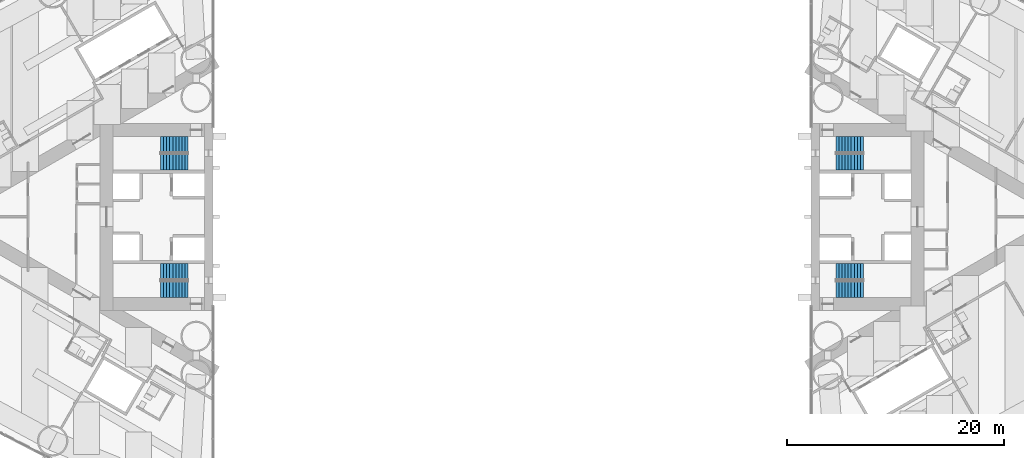
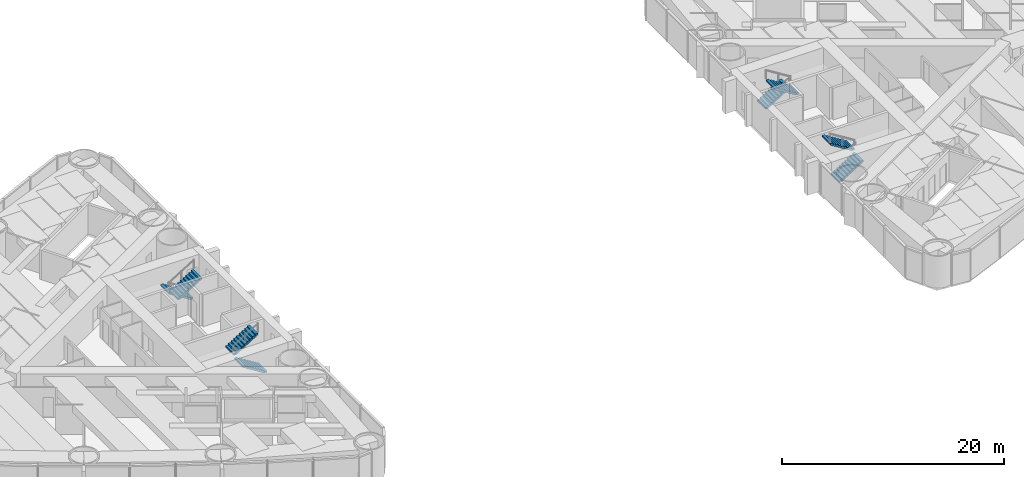
# One storey, part 17 of 19: 8 stair flights, 4 elements without a shape of their own.
"""IFC4 building model written with IfcOpenShell, lengths in metres."""

import ifcopenshell
import ifcopenshell.guid

model = None  # the IFC model being written
_history = None  # IfcOwnerHistory: only IFC2X3 demands one
_inside = {}  # id of a spatial element -> (the spatial element, [elements in it])
_under = {}  # id of a project, library or spatial element -> (it, [spatial elements below it])
_declared = {}  # id of a project -> (the project, [libraries it declares])
_typed = {}  # id of a type object -> (the type object, [elements of that type])
_made_of = {}  # id of a material, layer set ... -> (it, [elements and type objects made of it])


def new_model(schema):
    """Start an empty IFC model of exactly this schema.

    Asked for "IFC4X3", IfcOpenShell would pick the latest addendum, in which some entities
    have other attributes; the version numbers below select the first issue.
    IFC2X3 requires an IfcOwnerHistory on every rooted entity: one is made here for all.
    """
    global model, _history
    if schema == "IFC4X3":
        model = ifcopenshell.file(schema_version=(4, 3, 0, 0))
    else:
        model = ifcopenshell.file(schema=schema)
    _inside.clear()
    _under.clear()
    _declared.clear()
    _typed.clear()
    _made_of.clear()
    _history = None
    if model.schema == "IFC2X3":
        org = make("IfcOrganization", Name="unknown")
        user = make(
            "IfcPersonAndOrganization",
            ThePerson=make("IfcPerson", FamilyName="unknown"),
            TheOrganization=org,
        )
        app = make(
            "IfcApplication",
            ApplicationDeveloper=org,
            Version="unknown",
            ApplicationFullName="unknown",
            ApplicationIdentifier="unknown",
        )
        _history = make(
            "IfcOwnerHistory",
            OwningUser=user,
            OwningApplication=app,
            ChangeAction="ADDED",
            CreationDate=0,
        )
    return model


def make(cls, **values):
    """One entity of the class cls with the attributes given. An attribute that is None is left unset."""
    return model.create_entity(
        cls, **{name: value for name, value in values.items() if value is not None}
    )


def rooted(cls, **values):
    """An entity with a GlobalId (a new one), such as an element, a storey or a relation."""
    return make(cls, GlobalId=ifcopenshell.guid.new(), OwnerHistory=_history, **values)


def si_unit(unit_type, name, prefix=None):
    """IfcSIUnit, for example si_unit("LENGTHUNIT", "METRE", prefix="MILLI")."""
    return make("IfcSIUnit", UnitType=unit_type, Prefix=prefix, Name=name)


def assignment(units):
    """IfcUnitAssignment: the units of a project."""
    return None if units is None else make("IfcUnitAssignment", Units=units)


def point(xyz):
    """IfcCartesianPoint."""
    return None if xyz is None else make("IfcCartesianPoint", Coordinates=xyz)


def direction(xyz):
    """IfcDirection."""
    return None if xyz is None else make("IfcDirection", DirectionRatios=xyz)


def frame(location, z_axis=None, x_axis=None):
    """IfcAxis2Placement3D, a coordinate frame: its origin and axes. An axis left out is left unset."""
    return make(
        "IfcAxis2Placement3D",
        Location=point(location),
        Axis=direction(z_axis),
        RefDirection=direction(x_axis),
    )


def origin():
    """The frame at (0, 0, 0) with its axes left unset."""
    return frame((0.0, 0.0, 0.0))


def place(relative_to, where):
    """IfcLocalPlacement: puts the frame where relative to a parent placement (None: the world)."""
    return make(
        "IfcLocalPlacement", PlacementRelTo=relative_to, RelativePlacement=where
    )


def context(
    kind, dimensions, precision=None, world=None, true_north=None, identifier=None
):
    """IfcGeometricRepresentationContext, for example the 3D "Model" context."""
    return make(
        "IfcGeometricRepresentationContext",
        ContextIdentifier=identifier,
        ContextType=kind,
        CoordinateSpaceDimension=dimensions,
        Precision=precision,
        WorldCoordinateSystem=world,
        TrueNorth=true_north,
    )


def subcontext(parent, identifier, kind, view, scale=None):
    """IfcGeometricRepresentationSubContext, for example "Body" below "Model"."""
    return make(
        "IfcGeometricRepresentationSubContext",
        ContextIdentifier=identifier,
        ContextType=kind,
        ParentContext=parent,
        TargetScale=scale,
        TargetView=view,
    )


def project(units=None, contexts=None):
    """IfcProject with its units and contexts."""
    return rooted(
        "IfcProject",
        Name="project",
        RepresentationContexts=contexts,
        UnitsInContext=assignment(units),
    )


def spatial(cls, under=None, at=None, **own):
    """A site, building, storey or space (cls), placed at a placement, below another one or the project."""
    s = rooted(cls, ObjectPlacement=at, **own)
    if under is not None:
        _under.setdefault(under.id(), (under, []))[1].append(s)
    return s


def polyline(points):
    """IfcPolyline through the points."""
    return make("IfcPolyline", Points=[point(p) for p in points])


def outline(outer, holes=None, kind="AREA"):
    """IfcArbitraryClosedProfileDef: a profile drawn as a closed curve; with holes, ...WithVoids."""
    if holes is None:
        return make("IfcArbitraryClosedProfileDef", ProfileType=kind, OuterCurve=outer)
    return make(
        "IfcArbitraryProfileDefWithVoids",
        ProfileType=kind,
        OuterCurve=outer,
        InnerCurves=holes,
    )


def extrude(swept, where, along, depth):
    """IfcExtrudedAreaSolid: the profile swept, set in the frame where, extruded along a direction by depth."""
    return make(
        "IfcExtrudedAreaSolid",
        SweptArea=swept,
        Position=where,
        ExtrudedDirection=direction(along),
        Depth=depth,
    )


def shape(context_of_items, identifier, shape_type, items):
    """IfcShapeRepresentation: the items that make up one representation, for example the "Body"."""
    return make(
        "IfcShapeRepresentation",
        ContextOfItems=context_of_items,
        RepresentationIdentifier=identifier,
        RepresentationType=shape_type,
        Items=items,
    )


def material(Name=None, Category=None):
    """IfcMaterial."""
    return make("IfcMaterial", Name=Name, Category=Category)


def made_of(thing, what):
    """Note that an element or type object is made of a material, layer set ...; save() writes the relation."""
    if what is not None:
        _made_of.setdefault(what.id(), (what, []))[1].append(thing)
    return thing


def type_object(cls, material=None, **own):
    """A type object (cls), such as IfcWallType, which elements share."""
    return made_of(rooted(cls, **own), material)


def element(
    cls,
    number,
    at=None,
    inside=None,
    cuts=None,
    type_object=None,
    material=None,
    context=None,
    identifier="Body",
    shape_type=None,
    held_by="IfcProductDefinitionShape",
    body=None,
    shapes=None,
    **own,
):
    """One element of the class cls, such as IfcWall. Its Tag is "e" and its number.

    at: its placement. inside: the storey or other place that contains it. cuts: it is an
    opening in that element (IfcRelVoidsElement). A single representation is given by context,
    identifier, shape_type and body (its items); several are given by shapes. held_by: the class
    of the entity that holds the representations. save() writes the other relations.
    """
    e = rooted(cls, Tag="e%d" % number, ObjectPlacement=at, **own)
    if body is not None:
        shapes = [shape(context, identifier, shape_type, body)]
    if shapes is not None:
        e.Representation = make(held_by, Representations=shapes)
    if inside is not None:
        _inside.setdefault(inside.id(), (inside, []))[1].append(e)
    if cuts is not None:
        rooted(
            "IfcRelVoidsElement", RelatingBuildingElement=cuts, RelatedOpeningElement=e
        )
    if type_object is not None:
        _typed.setdefault(type_object.id(), (type_object, []))[1].append(e)
    return made_of(e, material)


def aggregate(whole, parts):
    """IfcRelAggregates: a whole, such as a stair, and the parts it consists of."""
    return rooted("IfcRelAggregates", RelatingObject=whole, RelatedObjects=parts)


def save(model, path):
    """Write the relations noted so far, then the file.

    IfcRelAggregates (storeys below a building ...), IfcRelContainedInSpatialStructure (elements
    in a storey), IfcRelDefinesByType, IfcRelAssociatesMaterial and IfcRelDeclares: one each for
    every whole, place, type object, material and project.
    """
    for whole, parts in _under.values():
        aggregate(whole, parts)
    for where, things in _inside.values():
        rooted(
            "IfcRelContainedInSpatialStructure",
            RelatedElements=things,
            RelatingStructure=where,
        )
    for kind, things in _typed.values():
        rooted("IfcRelDefinesByType", RelatedObjects=things, RelatingType=kind)
    for what, things in _made_of.values():
        rooted("IfcRelAssociatesMaterial", RelatedObjects=things, RelatingMaterial=what)
    for by, libraries in _declared.values():
        rooted("IfcRelDeclares", RelatingContext=by, RelatedDefinitions=libraries)
    model.write(path)


model = new_model("IFC4")

# Units and contexts
model_context = context("Model", 3, precision=1e-05, world=origin(), true_north=direction((0.0, 1.0)))
body_context = subcontext(model_context, "Body", "Model", "MODEL_VIEW")
ifc_project = project(units=[si_unit("LENGTHUNIT", "METRE"), si_unit("AREAUNIT", "SQUARE_METRE"), si_unit("VOLUMEUNIT", "CUBIC_METRE"), si_unit("PLANEANGLEUNIT", "RADIAN"), si_unit("MASSUNIT", "GRAM", prefix="KILO")], contexts=[model_context])

# Site, building, storey
site_placement = place(None, origin())
site = spatial("IfcSite", under=ifc_project, at=site_placement, CompositionType="ELEMENT")
building_placement = place(site_placement, origin())
building = spatial("IfcBuilding", under=site, at=building_placement, Name="Lancet Gate Hotel", CompositionType="ELEMENT")
storey_placement = place(building_placement, frame((0.0, 0.0, 21.5)))
storey = spatial("IfcBuildingStorey", under=building, at=storey_placement, Name="L04", CompositionType="ELEMENT", Elevation=21.5)

# Stair, stair flights
ifc_material_1 = material(Name="Exit stair 20 risers 1500")
stair_type = type_object("IfcStairType", Name="Exit stair 20 risers 1500", PredefinedType="HALF_TURN_STAIR", material=ifc_material_1)
stair_1_placement = place(storey_placement, origin())
stair_1 = element("IfcStair", 1, at=stair_1_placement, inside=storey, type_object=stair_type, Name="T1 stair 1 L04", PredefinedType="HALF_TURN_STAIR")
ifc_material_2 = material(Name="Stair flight 10 risers 175 rise 1500")
stair_flight_type = type_object("IfcStairFlightType", Name="Stair flight 10 risers 175 rise 1500", PredefinedType="STRAIGHT", material=ifc_material_2)
stair_flight_1_placement = place(storey_placement, frame((-29.800048828125, 6.64990234375, 0.0), z_axis=(0.0, 0.0, 1.0), x_axis=(-1.0, 0.0, 0.0)))
stair_flight_1 = element("IfcStairFlight", 2, at=stair_flight_1_placement, type_object=stair_flight_type, Name="ST1 flight 1", NumberOfRisers=10, NumberOfTreads=9, PredefinedType="STRAIGHT", RiserHeight=0.175, TreadLength=0.28, context=body_context, shape_type="SweptSolid", body=[
    extrude(outline(polyline([(0.0, 0.0), (0.0, 0.175048828125), (0.280029296875, 0.175048828125), (0.280029296875, 0.35009765625), (0.56005859375, 0.35009765625), (0.56005859375, 0.52490234375), (0.840087890625, 0.52490234375), (0.840087890625, 0.699951171875), (1.1201171875, 0.699951171875), (1.1201171875, 0.875), (1.39990234375, 0.875), (1.39990234375, 1.050048828125), (1.679931640625, 1.050048828125), (1.679931640625, 1.22509765625), (1.9599609375, 1.22509765625), (1.9599609375, 1.39990234375), (2.239990234375, 1.39990234375), (2.239990234375, 1.574951171875), (2.52001953125, 1.574951171875), (2.52001953125, 1.75), (2.52001953125, 1.398193359375), (0.28271484375, 0.0), (0.0, 0.0)])), frame((0.0, 0.75, 0.0), z_axis=(0.0, -1.0, 0.0), x_axis=(1.0, 0.0, 0.0)), (0.0, 0.0, 1.0), 1.5),
])
stair_flight_2_placement = place(storey_placement, frame((-32.320068359375, 5.050048828125, 1.75), z_axis=(0.0, 0.0, 1.0), x_axis=(1.0, 0.0, 0.0)))
stair_flight_2 = element("IfcStairFlight", 3, at=stair_flight_2_placement, type_object=stair_flight_type, Name="ST1 flight 2", NumberOfRisers=10, NumberOfTreads=9, PredefinedType="STRAIGHT", RiserHeight=0.175, TreadLength=0.28, context=body_context, shape_type="SweptSolid", body=[
    extrude(outline(polyline([(0.0, 0.0), (0.0, 0.175048828125), (0.280029296875, 0.175048828125), (0.280029296875, 0.35009765625), (0.56005859375, 0.35009765625), (0.56005859375, 0.52490234375), (0.840087890625, 0.52490234375), (0.840087890625, 0.699951171875), (1.1201171875, 0.699951171875), (1.1201171875, 0.875), (1.39990234375, 0.875), (1.39990234375, 1.050048828125), (1.679931640625, 1.050048828125), (1.679931640625, 1.22509765625), (1.9599609375, 1.22509765625), (1.9599609375, 1.39990234375), (2.239990234375, 1.39990234375), (2.239990234375, 1.574951171875), (2.52001953125, 1.574951171875), (2.52001953125, 1.75), (2.52001953125, 1.398193359375), (0.28271484375, 0.0), (0.0, 0.0)])), frame((0.0, 0.75, 0.0), z_axis=(0.0, -1.0, 0.0), x_axis=(1.0, 0.0, 0.0)), (0.0, 0.0, 1.0), 1.5),
])
aggregate(stair_1, [stair_flight_1, stair_flight_2])

stair_2_placement = place(storey_placement, origin())
stair_2 = element("IfcStair", 4, at=stair_2_placement, inside=storey, type_object=stair_type, Name="T1 stair 2 L04", PredefinedType="HALF_TURN_STAIR")
stair_flight_3_placement = place(storey_placement, frame((-29.800048828125, -6.64990234375, 0.0), z_axis=(0.0, 0.0, 1.0), x_axis=(-1.0, 0.0, 0.0)))
stair_flight_3 = element("IfcStairFlight", 5, at=stair_flight_3_placement, type_object=stair_flight_type, Name="ST2 flight 1", NumberOfRisers=10, NumberOfTreads=9, PredefinedType="STRAIGHT", RiserHeight=0.175, TreadLength=0.28, context=body_context, shape_type="SweptSolid", body=[
    extrude(outline(polyline([(0.0, 0.0), (0.0, 0.175048828125), (0.280029296875, 0.175048828125), (0.280029296875, 0.35009765625), (0.56005859375, 0.35009765625), (0.56005859375, 0.52490234375), (0.840087890625, 0.52490234375), (0.840087890625, 0.699951171875), (1.1201171875, 0.699951171875), (1.1201171875, 0.875), (1.39990234375, 0.875), (1.39990234375, 1.050048828125), (1.679931640625, 1.050048828125), (1.679931640625, 1.22509765625), (1.9599609375, 1.22509765625), (1.9599609375, 1.39990234375), (2.239990234375, 1.39990234375), (2.239990234375, 1.574951171875), (2.52001953125, 1.574951171875), (2.52001953125, 1.75), (2.52001953125, 1.398193359375), (0.28271484375, 0.0), (0.0, 0.0)])), frame((0.0, 0.75, 0.0), z_axis=(0.0, -1.0, 0.0), x_axis=(1.0, 0.0, 0.0)), (0.0, 0.0, 1.0), 1.5),
])
stair_flight_4_placement = place(storey_placement, frame((-32.320068359375, -5.050048828125, 1.75), z_axis=(0.0, 0.0, 1.0), x_axis=(1.0, 0.0, 0.0)))
stair_flight_4 = element("IfcStairFlight", 6, at=stair_flight_4_placement, type_object=stair_flight_type, Name="ST2 flight 2", NumberOfRisers=10, NumberOfTreads=9, PredefinedType="STRAIGHT", RiserHeight=0.175, TreadLength=0.28, context=body_context, shape_type="SweptSolid", body=[
    extrude(outline(polyline([(0.0, 0.0), (0.0, 0.175048828125), (0.280029296875, 0.175048828125), (0.280029296875, 0.35009765625), (0.56005859375, 0.35009765625), (0.56005859375, 0.52490234375), (0.840087890625, 0.52490234375), (0.840087890625, 0.699951171875), (1.1201171875, 0.699951171875), (1.1201171875, 0.875), (1.39990234375, 0.875), (1.39990234375, 1.050048828125), (1.679931640625, 1.050048828125), (1.679931640625, 1.22509765625), (1.9599609375, 1.22509765625), (1.9599609375, 1.39990234375), (2.239990234375, 1.39990234375), (2.239990234375, 1.574951171875), (2.52001953125, 1.574951171875), (2.52001953125, 1.75), (2.52001953125, 1.398193359375), (0.28271484375, 0.0), (0.0, 0.0)])), frame((0.0, 0.75, 0.0), z_axis=(0.0, -1.0, 0.0), x_axis=(1.0, 0.0, 0.0)), (0.0, 0.0, 1.0), 1.5),
])
aggregate(stair_2, [stair_flight_3, stair_flight_4])

stair_3_placement = place(storey_placement, origin())
stair_3 = element("IfcStair", 7, at=stair_3_placement, inside=storey, type_object=stair_type, Name="T2 stair 1 L04", PredefinedType="HALF_TURN_STAIR")
stair_flight_5_placement = place(storey_placement, frame((29.800048828125, -6.64990234375, 0.0), z_axis=(0.0, 0.0, 1.0), x_axis=(1.0, 0.0, 0.0)))
stair_flight_5 = element("IfcStairFlight", 8, at=stair_flight_5_placement, type_object=stair_flight_type, Name="ST3 flight 1", NumberOfRisers=10, NumberOfTreads=9, PredefinedType="STRAIGHT", RiserHeight=0.175, TreadLength=0.28, context=body_context, shape_type="SweptSolid", body=[
    extrude(outline(polyline([(0.0, 0.0), (0.0, 0.175048828125), (0.280029296875, 0.175048828125), (0.280029296875, 0.35009765625), (0.56005859375, 0.35009765625), (0.56005859375, 0.52490234375), (0.840087890625, 0.52490234375), (0.840087890625, 0.699951171875), (1.1201171875, 0.699951171875), (1.1201171875, 0.875), (1.39990234375, 0.875), (1.39990234375, 1.050048828125), (1.679931640625, 1.050048828125), (1.679931640625, 1.22509765625), (1.9599609375, 1.22509765625), (1.9599609375, 1.39990234375), (2.239990234375, 1.39990234375), (2.239990234375, 1.574951171875), (2.52001953125, 1.574951171875), (2.52001953125, 1.75), (2.52001953125, 1.398193359375), (0.28271484375, 0.0), (0.0, 0.0)])), frame((0.0, 0.75, 0.0), z_axis=(0.0, -1.0, 0.0), x_axis=(1.0, 0.0, 0.0)), (0.0, 0.0, 1.0), 1.5),
])
stair_flight_6_placement = place(storey_placement, frame((32.320068359375, -5.050048828125, 1.75), z_axis=(0.0, 0.0, 1.0), x_axis=(-1.0, 0.0, 0.0)))
stair_flight_6 = element("IfcStairFlight", 9, at=stair_flight_6_placement, type_object=stair_flight_type, Name="ST3 flight 2", NumberOfRisers=10, NumberOfTreads=9, PredefinedType="STRAIGHT", RiserHeight=0.175, TreadLength=0.28, context=body_context, shape_type="SweptSolid", body=[
    extrude(outline(polyline([(0.0, 0.0), (0.0, 0.175048828125), (0.280029296875, 0.175048828125), (0.280029296875, 0.35009765625), (0.56005859375, 0.35009765625), (0.56005859375, 0.52490234375), (0.840087890625, 0.52490234375), (0.840087890625, 0.699951171875), (1.1201171875, 0.699951171875), (1.1201171875, 0.875), (1.39990234375, 0.875), (1.39990234375, 1.050048828125), (1.679931640625, 1.050048828125), (1.679931640625, 1.22509765625), (1.9599609375, 1.22509765625), (1.9599609375, 1.39990234375), (2.239990234375, 1.39990234375), (2.239990234375, 1.574951171875), (2.52001953125, 1.574951171875), (2.52001953125, 1.75), (2.52001953125, 1.398193359375), (0.28271484375, 0.0), (0.0, 0.0)])), frame((0.0, 0.75, 0.0), z_axis=(0.0, -1.0, 0.0), x_axis=(1.0, 0.0, 0.0)), (0.0, 0.0, 1.0), 1.5),
])
aggregate(stair_3, [stair_flight_5, stair_flight_6])

stair_4_placement = place(storey_placement, origin())
stair_4 = element("IfcStair", 10, at=stair_4_placement, inside=storey, type_object=stair_type, Name="T2 stair 2 L04", PredefinedType="HALF_TURN_STAIR")
stair_flight_7_placement = place(storey_placement, frame((29.800048828125, 6.64990234375, 0.0), z_axis=(0.0, 0.0, 1.0), x_axis=(1.0, 0.0, 0.0)))
stair_flight_7 = element("IfcStairFlight", 11, at=stair_flight_7_placement, type_object=stair_flight_type, Name="ST4 flight 1", NumberOfRisers=10, NumberOfTreads=9, PredefinedType="STRAIGHT", RiserHeight=0.175, TreadLength=0.28, context=body_context, shape_type="SweptSolid", body=[
    extrude(outline(polyline([(0.0, 0.0), (0.0, 0.175048828125), (0.280029296875, 0.175048828125), (0.280029296875, 0.35009765625), (0.56005859375, 0.35009765625), (0.56005859375, 0.52490234375), (0.840087890625, 0.52490234375), (0.840087890625, 0.699951171875), (1.1201171875, 0.699951171875), (1.1201171875, 0.875), (1.39990234375, 0.875), (1.39990234375, 1.050048828125), (1.679931640625, 1.050048828125), (1.679931640625, 1.22509765625), (1.9599609375, 1.22509765625), (1.9599609375, 1.39990234375), (2.239990234375, 1.39990234375), (2.239990234375, 1.574951171875), (2.52001953125, 1.574951171875), (2.52001953125, 1.75), (2.52001953125, 1.398193359375), (0.28271484375, 0.0), (0.0, 0.0)])), frame((0.0, 0.75, 0.0), z_axis=(0.0, -1.0, 0.0), x_axis=(1.0, 0.0, 0.0)), (0.0, 0.0, 1.0), 1.5),
])
stair_flight_8_placement = place(storey_placement, frame((32.320068359375, 5.050048828125, 1.75), z_axis=(0.0, 0.0, 1.0), x_axis=(-1.0, 0.0, 0.0)))
stair_flight_8 = element("IfcStairFlight", 12, at=stair_flight_8_placement, type_object=stair_flight_type, Name="ST4 flight 2", NumberOfRisers=10, NumberOfTreads=9, PredefinedType="STRAIGHT", RiserHeight=0.175, TreadLength=0.28, context=body_context, shape_type="SweptSolid", body=[
    extrude(outline(polyline([(0.0, 0.0), (0.0, 0.175048828125), (0.280029296875, 0.175048828125), (0.280029296875, 0.35009765625), (0.56005859375, 0.35009765625), (0.56005859375, 0.52490234375), (0.840087890625, 0.52490234375), (0.840087890625, 0.699951171875), (1.1201171875, 0.699951171875), (1.1201171875, 0.875), (1.39990234375, 0.875), (1.39990234375, 1.050048828125), (1.679931640625, 1.050048828125), (1.679931640625, 1.22509765625), (1.9599609375, 1.22509765625), (1.9599609375, 1.39990234375), (2.239990234375, 1.39990234375), (2.239990234375, 1.574951171875), (2.52001953125, 1.574951171875), (2.52001953125, 1.75), (2.52001953125, 1.398193359375), (0.28271484375, 0.0), (0.0, 0.0)])), frame((0.0, 0.75, 0.0), z_axis=(0.0, -1.0, 0.0), x_axis=(1.0, 0.0, 0.0)), (0.0, 0.0, 1.0), 1.5),
])
aggregate(stair_4, [stair_flight_7, stair_flight_8])

save(model, "model.ifc")
